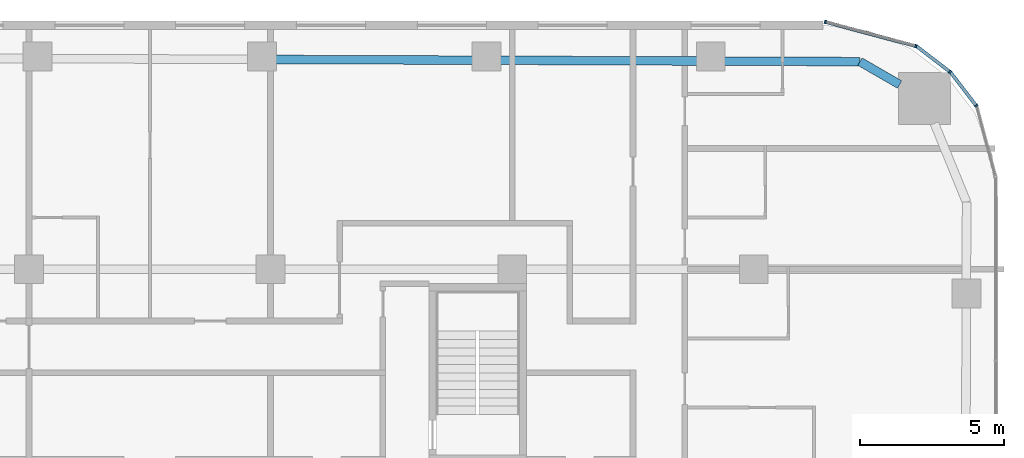
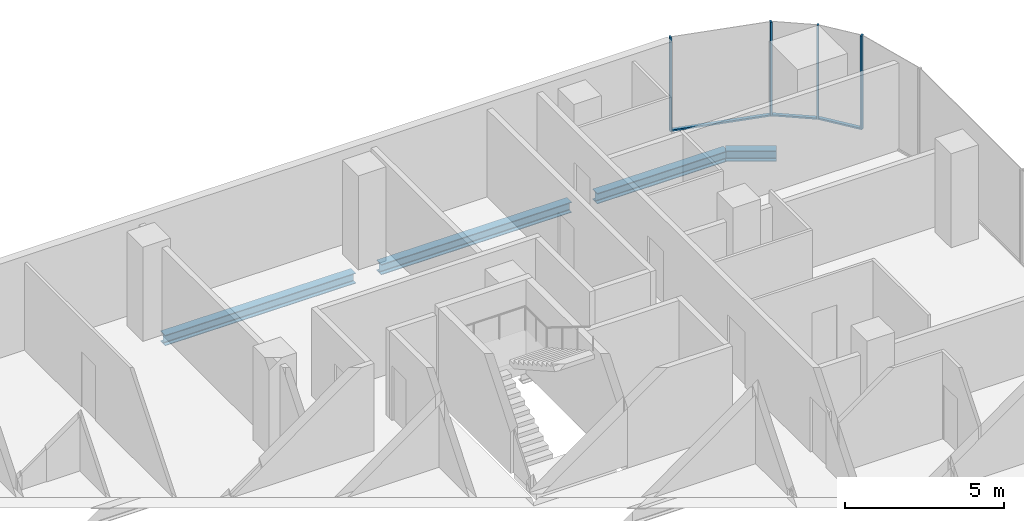
# One storey, part 13 of 26: 7 members, 4 beams, 3 elements without a shape of their own.
"""IFC4 building model written with IfcOpenShell, lengths in metres."""

from ifc_helpers import new_model, si_unit, direction, frame, origin, origin_2d, place, context, subcontext, project, spatial, rectangle, i_section, extrude, material, layer, layer_set, material_profile, profile_set, type_object, element, aggregate, save


model = new_model("IFC4")

# Units and contexts
model_context = context("Model", 3, precision=1e-05, world=origin(), true_north=direction((0.0, 1.0)))
body_context = subcontext(model_context, "Body", "Model", "MODEL_VIEW")
ifc_project = project(units=[si_unit("LENGTHUNIT", "METRE"), si_unit("AREAUNIT", "SQUARE_METRE"), si_unit("VOLUMEUNIT", "CUBIC_METRE"), si_unit("PLANEANGLEUNIT", "RADIAN"), si_unit("MASSUNIT", "GRAM", prefix="KILO")], contexts=[model_context])

# Site, building, storey
site_placement = place(None, origin())
site = spatial("IfcSite", under=ifc_project, at=site_placement, CompositionType="ELEMENT")
building_placement = place(site_placement, origin())
building = spatial("IfcBuilding", under=site, at=building_placement, Name="Marenta Gate Hotel Tower", CompositionType="ELEMENT")
storey_placement = place(building_placement, frame((0.0, 0.0, 43.699951171875)))
storey = spatial("IfcBuildingStorey", under=building, at=storey_placement, Name="L08", CompositionType="ELEMENT", Elevation=43.699951171875)

# Beams
ifc_material_1 = material(Name="Steel S355", Category="steel")
ifc_material_profile_1 = material_profile(ifc_material_1, i_section(OverallWidth=0.300048828125, OverallDepth=0.39990234375, WebThickness=0.013427734375, FlangeThickness=0.02392578125, FilletRadius=0.027099609375, at=origin_2d()), Name="HEB 400")
ifc_profile_set_1 = profile_set([ifc_material_profile_1], Name="Steel S355")
beam_type = type_object("IfcBeamType", Name="Edge beam HEB 400", PredefinedType="SPANDREL", material=ifc_profile_set_1)
for number, where, z_axis, x_axis, name in (
    (1, (4.361328125, 32.4970703125, -0.4599609375), (0.999993064268, -0.003724435008, 0.0), (0.003724435008, 0.999993064268, 0.0), "L08-EB-17"),
    (2, (12.1640625, 32.468017578125, -0.4599609375), (0.999993064268, -0.003724435008, 0.0), (0.003724435008, 0.999993064268, 0.0), "L08-EB-18"),
):
    element("IfcBeam", number, at=place(storey_placement, frame(where, z_axis=z_axis, x_axis=x_axis)), inside=storey, type_object=beam_type, Name=name, PredefinedType="SPANDREL", context=body_context, shape_type="SweptSolid", body=[
        extrude(i_section(OverallWidth=0.300048828125, OverallDepth=0.39990234375, WebThickness=0.013427734375, FlangeThickness=0.02392578125, FilletRadius=0.027099609375, at=origin_2d()), origin(), (0.0, 0.0, 1.0), 6.8828125),
    ])
beam_1_placement = place(storey_placement, frame((19.966796875, 32.43896484375, -0.4599609375), z_axis=(0.999993080272, -0.003720135464, 0.0), x_axis=(0.003720135464, 0.999993080272, 0.0)))
element("IfcBeam", 3, at=beam_1_placement, inside=storey, type_object=beam_type, Name="L08-EB-19", PredefinedType="SPANDREL", context=body_context, shape_type="SweptSolid", body=[
    extrude(i_section(OverallWidth=0.300048828125, OverallDepth=0.39990234375, WebThickness=0.013427734375, FlangeThickness=0.02392578125, FilletRadius=0.027099609375, at=origin_2d()), origin(), (0.0, 0.0, 1.0), 4.72509765625),
])
beam_2_placement = place(storey_placement, frame((24.69189453125, 32.42138671875, -0.4599609375), z_axis=(0.865968422476, -0.500098681536, 0.0), x_axis=(0.500098681536, 0.865968422476, 0.0)))
element("IfcBeam", 4, at=beam_2_placement, inside=storey, type_object=beam_type, Name="L08-EB-20", PredefinedType="SPANDREL", context=body_context, shape_type="SweptSolid", body=[
    extrude(i_section(OverallWidth=0.300048828125, OverallDepth=0.39990234375, WebThickness=0.013427734375, FlangeThickness=0.02392578125, FilletRadius=0.027099609375, at=origin_2d()), origin(), (0.0, 0.0, 1.0), 1.591552734375),
])

# Curtain wall, member
ifc_material_2 = material(Name="Tinted insulated glass in bronze anodised frame", Category="glass")
ifc_layer = layer(ifc_material_2, 0.1201171875)
ifc_layer_set = layer_set([ifc_layer], Name="Tinted insulated glass in bronze anodised frame")
curtain_wall_type = type_object("IfcCurtainWallType", Name="Tower unitised curtain wall CW1", PredefinedType="NOTDEFINED", material=ifc_layer_set)
curtain_wall_1_placement = place(storey_placement, origin())
curtain_wall_1 = element("IfcCurtainWall", 5, at=curtain_wall_1_placement, inside=storey, type_object=curtain_wall_type, Name="CW1 run G13", PredefinedType="NOTDEFINED")
ifc_material_3 = material(Name="Bronze anodised aluminium", Category="aluminium")
ifc_material_profile_2 = material_profile(ifc_material_3, rectangle(XDim=0.1201171875, YDim=0.06005859375, at=origin_2d()), Name="Mullion CW1 60x120 bronze anodised aluminium")
ifc_profile_set_2 = profile_set([ifc_material_profile_2], Name="Bronze anodised aluminium")
member_type_1 = type_object("IfcMemberType", Name="Mullion CW1 60x120 bronze anodised aluminium", PredefinedType="MULLION", material=ifc_profile_set_2)
member_1_placement = place(storey_placement, frame((28.733154296875, 30.888916015625, 0.0), z_axis=(0.0, 0.0, 1.0), x_axis=(-0.79333801153, -0.608781405318, 0.0)))
member_1 = element("IfcMember", 6, at=member_1_placement, type_object=member_type_1, Name="CW1 mullion 1", PredefinedType="MULLION", context=body_context, shape_type="SweptSolid", body=[
    extrude(rectangle(XDim=0.1201171875, YDim=0.06005859375, at=origin_2d()), origin(), (0.0, 0.0, 1.0), 3.60009765625),
])

curtain_wall_2_placement = place(storey_placement, origin())
curtain_wall_2 = element("IfcCurtainWall", 7, at=curtain_wall_2_placement, inside=storey, type_object=curtain_wall_type, Name="CW1 run G14", PredefinedType="NOTDEFINED")
member_2_placement = place(storey_placement, frame((27.82177734375, 32.063720703125, 0.0), z_axis=(0.0, 0.0, 1.0), x_axis=(-0.608781405318, -0.79333801153, 0.0)))
member_2 = element("IfcMember", 8, at=member_2_placement, type_object=member_type_1, Name="CW1 mullion 1", PredefinedType="MULLION", context=body_context, shape_type="SweptSolid", body=[
    extrude(rectangle(XDim=0.1201171875, YDim=0.06005859375, at=origin_2d()), origin(), (0.0, 0.0, 1.0), 3.60009765625),
])

# Curtain wall, members
curtain_wall_3_placement = place(storey_placement, origin())
curtain_wall_3 = element("IfcCurtainWall", 9, at=curtain_wall_3_placement, inside=storey, type_object=curtain_wall_type, Name="CW1 run G15", PredefinedType="NOTDEFINED")
member_3_placement = place(storey_placement, frame((26.63623046875, 32.958984375, 0.0), z_axis=(0.0, 0.0, 1.0), x_axis=(-0.258807310344, -0.965928970532, 0.0)))
member_3 = element("IfcMember", 10, at=member_3_placement, type_object=member_type_1, Name="CW1 mullion 1", PredefinedType="MULLION", context=body_context, shape_type="SweptSolid", body=[
    extrude(rectangle(XDim=0.1201171875, YDim=0.06005859375, at=origin_2d()), origin(), (0.0, 0.0, 1.0), 3.60009765625),
])
member_4_placement = place(storey_placement, frame((23.485595703125, 33.80322265625, 0.0), z_axis=(0.0, 0.0, 1.0), x_axis=(-0.258807310344, -0.965928970532, 0.0)))
member_4 = element("IfcMember", 11, at=member_4_placement, type_object=member_type_1, Name="CW1 mullion 2", PredefinedType="MULLION", context=body_context, shape_type="SweptSolid", body=[
    extrude(rectangle(XDim=0.1201171875, YDim=0.06005859375, at=origin_2d()), origin(), (0.0, 0.0, 1.0), 3.60009765625),
])

# Member
ifc_material_4 = material(Name="Bronze anodised aluminium", Category="aluminium")
ifc_material_profile_3 = material_profile(ifc_material_4, rectangle(XDim=0.1201171875, YDim=0.06005859375, at=origin_2d()), Name="Transom CW1 60x120 bronze anodised aluminium")
ifc_profile_set_3 = profile_set([ifc_material_profile_3], Name="Bronze anodised aluminium")
member_type_2 = type_object("IfcMemberType", Name="Transom CW1 60x120 bronze anodised aluminium", PredefinedType="USERDEFINED", material=ifc_profile_set_3)
member_5_placement = place(storey_placement, frame((28.71484375, 30.91259765625, 0.030029296875), z_axis=(-0.60882629199, 0.793303564963, 0.0), x_axis=(-0.793303564963, -0.60882629199, 0.0)))
member_5 = element("IfcMember", 12, at=member_5_placement, type_object=member_type_2, Name="CW1 transom 1.1", ObjectType="TRANSOM", PredefinedType="USERDEFINED", context=body_context, shape_type="SweptSolid", body=[
    extrude(rectangle(XDim=0.1201171875, YDim=0.06005859375, at=origin_2d()), origin(), (0.0, 0.0, 1.0), 1.427978515625),
])

aggregate(curtain_wall_1, [member_1, member_5])

member_6_placement = place(storey_placement, frame((27.7978515625, 32.08203125, 0.030029296875), z_axis=(-0.793303564963, 0.60882629199, 0.0), x_axis=(-0.60882629199, -0.793303564963, 0.0)))
member_6 = element("IfcMember", 13, at=member_6_placement, type_object=member_type_2, Name="CW1 transom 1.1", ObjectType="TRANSOM", PredefinedType="USERDEFINED", context=body_context, shape_type="SweptSolid", body=[
    extrude(rectangle(XDim=0.1201171875, YDim=0.06005859375, at=origin_2d()), origin(), (0.0, 0.0, 1.0), 1.427978515625),
])

aggregate(curtain_wall_2, [member_2, member_6])

member_7_placement = place(storey_placement, frame((26.607177734375, 32.966796875, 0.030029296875), z_axis=(-0.965933076693, 0.258791984709, 0.0), x_axis=(-0.258791984709, -0.965933076693, 0.0)))
member_7 = element("IfcMember", 14, at=member_7_placement, type_object=member_type_2, Name="CW1 transom 1.1", ObjectType="TRANSOM", PredefinedType="USERDEFINED", context=body_context, shape_type="SweptSolid", body=[
    extrude(rectangle(XDim=0.1201171875, YDim=0.06005859375, at=origin_2d()), origin(), (0.0, 0.0, 1.0), 3.201904296875),
])

aggregate(curtain_wall_3, [member_3, member_4, member_7])

save(model, "model.ifc")
